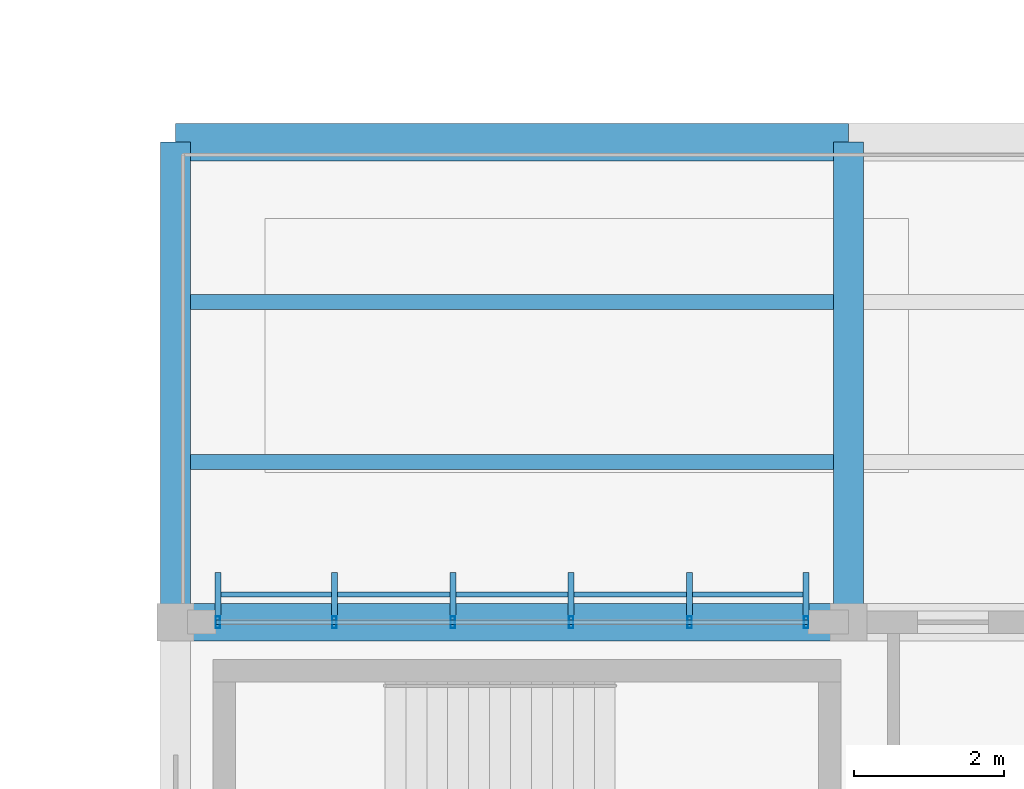
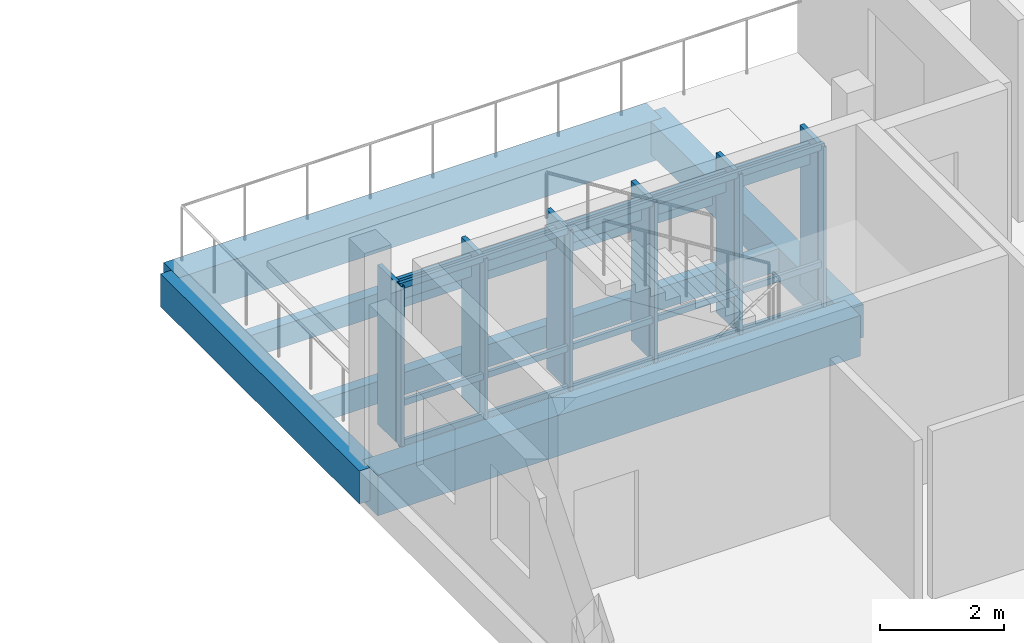
# One storey, part 12 of 24: 16 members, 6 beams, 1 element without a shape of its own.
"""IFC4 building model written with IfcOpenShell, lengths in metres."""

from ifc_helpers import new_model, si_unit, direction, frame, origin, origin_2d, place, context, subcontext, project, spatial, rectangle, hollow_rectangle, extrude, material, material_profile, profile_set, type_object, element, aggregate, save


model = new_model("IFC4")

# Units and contexts
model_context = context("Model", 3, precision=1e-05, world=origin(), true_north=direction((0.0, 1.0)))
body_context = subcontext(model_context, "Body", "Model", "MODEL_VIEW")
ifc_project = project(units=[si_unit("LENGTHUNIT", "METRE"), si_unit("AREAUNIT", "SQUARE_METRE"), si_unit("VOLUMEUNIT", "CUBIC_METRE"), si_unit("PLANEANGLEUNIT", "RADIAN"), si_unit("MASSUNIT", "GRAM", prefix="KILO")], contexts=[model_context])

# Site, building, storey
site_placement = place(None, origin())
site = spatial("IfcSite", under=ifc_project, at=site_placement, CompositionType="ELEMENT")
building_placement = place(site_placement, origin())
building = spatial("IfcBuilding", under=site, at=building_placement, Name="Chiffa Square Polytechnic", CompositionType="ELEMENT")
storey_placement = place(building_placement, frame((0.0, 0.0, 22.199951171875)))
storey = spatial("IfcBuildingStorey", under=building, at=storey_placement, Name="L05", CompositionType="ELEMENT", Elevation=22.199951171875)

# Beams
ifc_material_1 = material(Name="Concrete C35/45", Category="concrete")
ifc_material_profile_1 = material_profile(ifc_material_1, rectangle(XDim=0.39990234375, YDim=0.64990234375, at=origin_2d()), Name="RC 400x650")
ifc_profile_set_1 = profile_set([ifc_material_profile_1], Name="Concrete C35/45")
beam_type_1 = type_object("IfcBeamType", Name="BM-RC-400X650", PredefinedType="BEAM", material=ifc_profile_set_1)
for number, where, z_axis, x_axis, name in (
    (1, (148.199951171875, 51.0, -0.5849609375), (0.0, 1.0, 0.0), (-1.0, 0.0, 0.0), "Primary floor girder BM-V1-L05-Y-1482-0510"),
    (2, (157.199951171875, 51.0, -0.5849609375), (0.0, 1.0, 0.0), (-1.0, 0.0, 0.0), "Primary floor girder BM-V1-L05-Y-1572-0510"),
):
    element("IfcBeam", number, at=place(storey_placement, frame(where, z_axis=z_axis, x_axis=x_axis)), inside=storey, type_object=beam_type_1, Name=name, PredefinedType="BEAM", context=body_context, shape_type="SweptSolid", body=[
        extrude(rectangle(XDim=0.39990234375, YDim=0.64990234375, at=origin_2d()), origin(), (0.0, 0.0, 1.0), 6.419921875),
    ])
ifc_material_2 = material(Name="Concrete C40/50", Category="concrete")
ifc_material_profile_2 = material_profile(ifc_material_2, rectangle(XDim=0.5, YDim=0.800048828125, at=origin_2d()), Name="RC 500x800")
ifc_profile_set_2 = profile_set([ifc_material_profile_2], Name="Concrete C40/50")
beam_type_2 = type_object("IfcBeamType", Name="BM-RC-500X800", PredefinedType="BEAM", material=ifc_profile_set_2)
for number, where, z_axis, x_axis, name in (
    (3, (148.199951171875, 51.0, -0.659912109375), (1.0, 0.0, 0.0), (0.0, 1.0, 0.0), "Primary floor girder BM-V1-L05-X-1482-0510"),
    (4, (148.199951171875, 57.419921875, -0.659912109375), (1.0, 0.0, 0.0), (0.0, 1.0, 0.0), "Primary floor girder BM-V1-L05-X-1482-0574"),
):
    element("IfcBeam", number, at=place(storey_placement, frame(where, z_axis=z_axis, x_axis=x_axis)), inside=storey, type_object=beam_type_2, Name=name, PredefinedType="BEAM", context=body_context, shape_type="SweptSolid", body=[
        extrude(rectangle(XDim=0.5, YDim=0.800048828125, at=origin_2d()), origin(), (0.0, 0.0, 1.0), 9.0),
    ])

# Curtain wall, members
ifc_material_3 = material(Name="Aluminium EN AW-6060 T66 and glulam shading", Category="wood")
curtain_wall_type = type_object("IfcCurtainWallType", Name="CW-VERT-300X380", PredefinedType="USERDEFINED", material=ifc_material_3)
curtain_wall_placement = place(storey_placement, origin())
curtain_wall = element("IfcCurtainWall", 5, at=curtain_wall_placement, inside=storey, type_object=curtain_wall_type, Name="Curtain wall CW-V1-L05-139", ObjectType="CURTAIN WALL", PredefinedType="USERDEFINED")
ifc_material_4 = material(Name="Aluminium EN AW-6060 T66", Category="aluminium")
ifc_material_profile_3 = material_profile(ifc_material_4, hollow_rectangle(XDim=0.06005859375, YDim=0.159912109375, WallThickness=0.00390625, at=origin_2d()), Name="ALU 60x160x4")
ifc_profile_set_3 = profile_set([ifc_material_profile_3], Name="Aluminium EN AW-6060 T66")
member_type_1 = type_object("IfcMemberType", Name="CWM-ALU-65X150", PredefinedType="MULLION", material=ifc_profile_set_3)
member_1_placement = place(storey_placement, frame((156.635009765625, 51.0, 0.0), z_axis=(0.0, 0.0, 1.0), x_axis=(1.0, 0.0, 0.0)))
member_1 = element("IfcMember", 6, at=member_1_placement, type_object=member_type_1, Name="Curtain wall mullion CW-V1-L05-139-M00", PredefinedType="MULLION", context=body_context, shape_type="SweptSolid", body=[
    extrude(hollow_rectangle(XDim=0.06005859375, YDim=0.159912109375, WallThickness=0.00390625, at=origin_2d()), origin(), (0.0, 0.0, 1.0), 3.1650390625),
])
member_2_placement = place(storey_placement, frame((155.075927734375, 51.0, 0.0), z_axis=(0.0, 0.0, 1.0), x_axis=(1.0, 0.0, 0.0)))
member_2 = element("IfcMember", 7, at=member_2_placement, type_object=member_type_1, Name="Curtain wall mullion CW-V1-L05-139-M01", PredefinedType="MULLION", context=body_context, shape_type="SweptSolid", body=[
    extrude(hollow_rectangle(XDim=0.06005859375, YDim=0.159912109375, WallThickness=0.00390625, at=origin_2d()), origin(), (0.0, 0.0, 1.0), 3.1650390625),
])
member_3_placement = place(storey_placement, frame((153.491943359375, 51.0, 0.0), z_axis=(0.0, 0.0, 1.0), x_axis=(1.0, 0.0, 0.0)))
member_3 = element("IfcMember", 8, at=member_3_placement, type_object=member_type_1, Name="Curtain wall mullion CW-V1-L05-139-M02", PredefinedType="MULLION", context=body_context, shape_type="SweptSolid", body=[
    extrude(hollow_rectangle(XDim=0.06005859375, YDim=0.159912109375, WallThickness=0.00390625, at=origin_2d()), origin(), (0.0, 0.0, 1.0), 3.1650390625),
])
member_4_placement = place(storey_placement, frame((151.907958984375, 51.0, 0.0), z_axis=(0.0, 0.0, 1.0), x_axis=(1.0, 0.0, 0.0)))
member_4 = element("IfcMember", 9, at=member_4_placement, type_object=member_type_1, Name="Curtain wall mullion CW-V1-L05-139-M03", PredefinedType="MULLION", context=body_context, shape_type="SweptSolid", body=[
    extrude(hollow_rectangle(XDim=0.06005859375, YDim=0.159912109375, WallThickness=0.00390625, at=origin_2d()), origin(), (0.0, 0.0, 1.0), 3.1650390625),
])
member_5_placement = place(storey_placement, frame((150.323974609375, 51.0, 0.0), z_axis=(0.0, 0.0, 1.0), x_axis=(1.0, 0.0, 0.0)))
member_5 = element("IfcMember", 10, at=member_5_placement, type_object=member_type_1, Name="Curtain wall mullion CW-V1-L05-139-M04", PredefinedType="MULLION", context=body_context, shape_type="SweptSolid", body=[
    extrude(hollow_rectangle(XDim=0.06005859375, YDim=0.159912109375, WallThickness=0.00390625, at=origin_2d()), origin(), (0.0, 0.0, 1.0), 3.1650390625),
])
member_6_placement = place(storey_placement, frame((148.764892578125, 51.0, 0.0), z_axis=(0.0, 0.0, 1.0), x_axis=(1.0, 0.0, 0.0)))
member_6 = element("IfcMember", 11, at=member_6_placement, type_object=member_type_1, Name="Curtain wall mullion CW-V1-L05-139-M05", PredefinedType="MULLION", context=body_context, shape_type="SweptSolid", body=[
    extrude(hollow_rectangle(XDim=0.06005859375, YDim=0.159912109375, WallThickness=0.00390625, at=origin_2d()), origin(), (0.0, 0.0, 1.0), 3.1650390625),
])
ifc_material_5 = material(Name="Glulam GL28h", Category="wood")
ifc_material_profile_4 = material_profile(ifc_material_5, rectangle(XDim=0.080078125, YDim=0.580078125, at=origin_2d()), Name="GL28h 80x580")
ifc_profile_set_4 = profile_set([ifc_material_profile_4], Name="Glulam GL28h")
member_type_2 = type_object("IfcMemberType", Name="CWM-GL-80X580", PredefinedType="MULLION", material=ifc_profile_set_4)
member_7_placement = place(storey_placement, frame((156.635009765625, 51.3720703125, 0.010009765625), z_axis=(0.0, 0.0, 1.0), x_axis=(-1.0, 0.0, 0.0)))
member_7 = element("IfcMember", 12, at=member_7_placement, type_object=member_type_2, Name="Exterior glulam solar fin CW-V1-L05-139-FN00", PredefinedType="MULLION", context=body_context, shape_type="SweptSolid", body=[
    extrude(rectangle(XDim=0.080078125, YDim=0.580078125, at=origin_2d()), origin(), (0.0, 0.0, 1.0), 3.14501953125),
])
member_8_placement = place(storey_placement, frame((155.075927734375, 51.3720703125, 0.010009765625), z_axis=(0.0, 0.0, 1.0), x_axis=(-1.0, 0.0, 0.0)))
member_8 = element("IfcMember", 13, at=member_8_placement, type_object=member_type_2, Name="Exterior glulam solar fin CW-V1-L05-139-FN01", PredefinedType="MULLION", context=body_context, shape_type="SweptSolid", body=[
    extrude(rectangle(XDim=0.080078125, YDim=0.580078125, at=origin_2d()), origin(), (0.0, 0.0, 1.0), 3.14501953125),
])
member_9_placement = place(storey_placement, frame((153.491943359375, 51.3720703125, 0.010009765625), z_axis=(0.0, 0.0, 1.0), x_axis=(-1.0, 0.0, 0.0)))
member_9 = element("IfcMember", 14, at=member_9_placement, type_object=member_type_2, Name="Exterior glulam solar fin CW-V1-L05-139-FN02", PredefinedType="MULLION", context=body_context, shape_type="SweptSolid", body=[
    extrude(rectangle(XDim=0.080078125, YDim=0.580078125, at=origin_2d()), origin(), (0.0, 0.0, 1.0), 3.14501953125),
])
member_10_placement = place(storey_placement, frame((151.907958984375, 51.3720703125, 0.010009765625), z_axis=(0.0, 0.0, 1.0), x_axis=(-1.0, 0.0, 0.0)))
member_10 = element("IfcMember", 15, at=member_10_placement, type_object=member_type_2, Name="Exterior glulam solar fin CW-V1-L05-139-FN03", PredefinedType="MULLION", context=body_context, shape_type="SweptSolid", body=[
    extrude(rectangle(XDim=0.080078125, YDim=0.580078125, at=origin_2d()), origin(), (0.0, 0.0, 1.0), 3.14501953125),
])
member_11_placement = place(storey_placement, frame((150.323974609375, 51.3720703125, 0.010009765625), z_axis=(0.0, 0.0, 1.0), x_axis=(-1.0, 0.0, 0.0)))
member_11 = element("IfcMember", 16, at=member_11_placement, type_object=member_type_2, Name="Exterior glulam solar fin CW-V1-L05-139-FN04", PredefinedType="MULLION", context=body_context, shape_type="SweptSolid", body=[
    extrude(rectangle(XDim=0.080078125, YDim=0.580078125, at=origin_2d()), origin(), (0.0, 0.0, 1.0), 3.14501953125),
])
member_12_placement = place(storey_placement, frame((148.764892578125, 51.3720703125, 0.010009765625), z_axis=(0.0, 0.0, 1.0), x_axis=(-1.0, 0.0, 0.0)))
member_12 = element("IfcMember", 17, at=member_12_placement, type_object=member_type_2, Name="Exterior glulam solar fin CW-V1-L05-139-FN05", PredefinedType="MULLION", context=body_context, shape_type="SweptSolid", body=[
    extrude(rectangle(XDim=0.080078125, YDim=0.580078125, at=origin_2d()), origin(), (0.0, 0.0, 1.0), 3.14501953125),
])
ifc_material_profile_5 = material_profile(ifc_material_4, hollow_rectangle(XDim=0.06005859375, YDim=0.1201171875, WallThickness=0.00390625, at=origin_2d()), Name="ALU 60x120x4")
ifc_profile_set_5 = profile_set([ifc_material_profile_5], Name="Aluminium EN AW-6060 T66")
member_type_3 = type_object("IfcMemberType", Name="CWT-ALU-65X120", PredefinedType="USERDEFINED", material=ifc_profile_set_5)
member_13_placement = place(storey_placement, frame((156.662109375, 51.0, 0.030029296875), z_axis=(-1.0, 0.0, 0.0), x_axis=(0.0, -1.0, 0.0)))
member_13 = element("IfcMember", 18, at=member_13_placement, type_object=member_type_3, Name="Curtain wall transom CW-V1-L05-139-T01", ObjectType="TRANSOM", PredefinedType="USERDEFINED", context=body_context, shape_type="SweptSolid", body=[
    extrude(hollow_rectangle(XDim=0.06005859375, YDim=0.1201171875, WallThickness=0.00390625, at=origin_2d()), origin(), (0.0, 0.0, 1.0), 7.924072265625),
])
member_14_placement = place(storey_placement, frame((156.662109375, 51.0, 0.820068359375), z_axis=(-1.0, 0.0, 0.0), x_axis=(0.0, -1.0, 0.0)))
member_14 = element("IfcMember", 19, at=member_14_placement, type_object=member_type_3, Name="Curtain wall transom CW-V1-L05-139-T02", ObjectType="TRANSOM", PredefinedType="USERDEFINED", context=body_context, shape_type="SweptSolid", body=[
    extrude(hollow_rectangle(XDim=0.06005859375, YDim=0.1201171875, WallThickness=0.00390625, at=origin_2d()), origin(), (0.0, 0.0, 1.0), 7.924072265625),
])
member_15_placement = place(storey_placement, frame((156.662109375, 51.0, 3.135009765625), z_axis=(-1.0, 0.0, 0.0), x_axis=(0.0, -1.0, 0.0)))
member_15 = element("IfcMember", 20, at=member_15_placement, type_object=member_type_3, Name="Curtain wall transom CW-V1-L05-139-T03", ObjectType="TRANSOM", PredefinedType="USERDEFINED", context=body_context, shape_type="SweptSolid", body=[
    extrude(hollow_rectangle(XDim=0.06005859375, YDim=0.1201171875, WallThickness=0.00390625, at=origin_2d()), origin(), (0.0, 0.0, 1.0), 7.924072265625),
])
ifc_material_profile_6 = material_profile(ifc_material_5, rectangle(XDim=0.070068359375, YDim=0.419921875, at=origin_2d()), Name="GL28h 70x420")
ifc_profile_set_6 = profile_set([ifc_material_profile_6], Name="Glulam GL28h")
member_type_4 = type_object("IfcMemberType", Name="CWT-GL-70X420", PredefinedType="USERDEFINED", material=ifc_profile_set_6)
member_16_placement = place(storey_placement, frame((156.635009765625, 51.3720703125, 2.78515625), z_axis=(-1.0, 0.0, 0.0), x_axis=(0.0, -1.0, 0.0)))
member_16 = element("IfcMember", 21, at=member_16_placement, type_object=member_type_4, Name="Exterior glulam brise-soleil CW-V1-L05-139-BS01", ObjectType="TRANSOM", PredefinedType="USERDEFINED", context=body_context, shape_type="SweptSolid", body=[
    extrude(rectangle(XDim=0.070068359375, YDim=0.419921875, at=origin_2d()), origin(), (0.0, 0.0, 1.0), 7.8701171875),
])
aggregate(curtain_wall, [member_1, member_7, member_2, member_8, member_3, member_9, member_4, member_10, member_5, member_11, member_6, member_12, member_13, member_14, member_15, member_16])

# Beams
ifc_material_profile_7 = material_profile(ifc_material_5, rectangle(XDim=0.199951171875, YDim=0.43994140625, at=origin_2d()), Name="GL28h 200x440")
ifc_profile_set_7 = profile_set([ifc_material_profile_7], Name="Glulam GL28h")
beam_type_3 = type_object("IfcBeamType", Name="JST-GL-200X440", PredefinedType="JOIST", material=ifc_profile_set_7)
for number, where, z_axis, x_axis, name in (
    (22, (148.39794921875, 53.139892578125, -0.47998046875), (1.0, 0.0, 0.0), (0.0, 1.0, 0.0), "Secondary floor joist JST-V1-L05-1482-0531"),
    (23, (148.39794921875, 55.280029296875, -0.47998046875), (1.0, 0.0, 0.0), (0.0, 1.0, 0.0), "Secondary floor joist JST-V1-L05-1482-0553"),
):
    element("IfcBeam", number, at=place(storey_placement, frame(where, z_axis=z_axis, x_axis=x_axis)), inside=storey, type_object=beam_type_3, Name=name, PredefinedType="JOIST", context=body_context, shape_type="SweptSolid", body=[
        extrude(rectangle(XDim=0.199951171875, YDim=0.43994140625, at=origin_2d()), origin(), (0.0, 0.0, 1.0), 8.60400390625),
    ])

save(model, "model.ifc")
